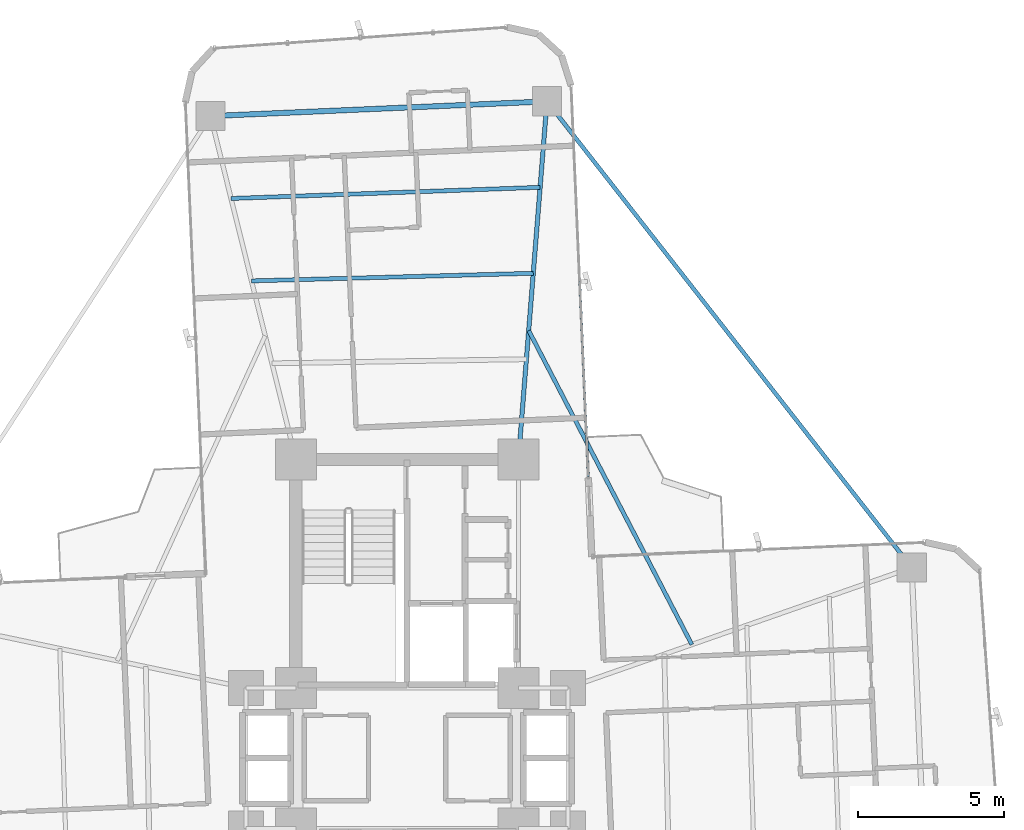
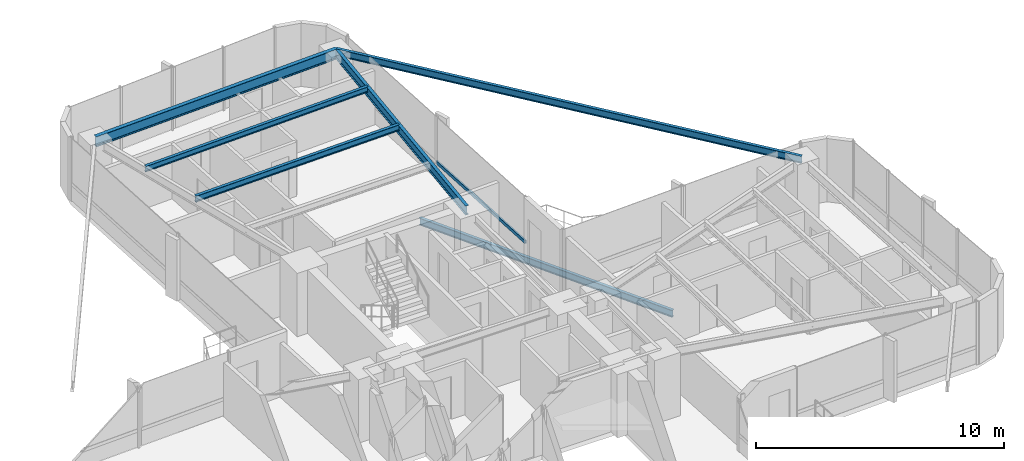
# One storey, part 18 of 27: 6 beams, 1 member, 1 element without a shape of its own.
"""IFC4 building model written with IfcOpenShell, lengths in metres."""

import ifcopenshell
import ifcopenshell.guid

model = None  # the IFC model being written
_history = None  # IfcOwnerHistory: only IFC2X3 demands one
_inside = {}  # id of a spatial element -> (the spatial element, [elements in it])
_under = {}  # id of a project, library or spatial element -> (it, [spatial elements below it])
_declared = {}  # id of a project -> (the project, [libraries it declares])
_typed = {}  # id of a type object -> (the type object, [elements of that type])
_made_of = {}  # id of a material, layer set ... -> (it, [elements and type objects made of it])


def new_model(schema):
    """Start an empty IFC model of exactly this schema.

    Asked for "IFC4X3", IfcOpenShell would pick the latest addendum, in which some entities
    have other attributes; the version numbers below select the first issue.
    IFC2X3 requires an IfcOwnerHistory on every rooted entity: one is made here for all.
    """
    global model, _history
    if schema == "IFC4X3":
        model = ifcopenshell.file(schema_version=(4, 3, 0, 0))
    else:
        model = ifcopenshell.file(schema=schema)
    _inside.clear()
    _under.clear()
    _declared.clear()
    _typed.clear()
    _made_of.clear()
    _history = None
    if model.schema == "IFC2X3":
        org = make("IfcOrganization", Name="unknown")
        user = make(
            "IfcPersonAndOrganization",
            ThePerson=make("IfcPerson", FamilyName="unknown"),
            TheOrganization=org,
        )
        app = make(
            "IfcApplication",
            ApplicationDeveloper=org,
            Version="unknown",
            ApplicationFullName="unknown",
            ApplicationIdentifier="unknown",
        )
        _history = make(
            "IfcOwnerHistory",
            OwningUser=user,
            OwningApplication=app,
            ChangeAction="ADDED",
            CreationDate=0,
        )
    return model


def make(cls, **values):
    """One entity of the class cls with the attributes given. An attribute that is None is left unset."""
    return model.create_entity(
        cls, **{name: value for name, value in values.items() if value is not None}
    )


def rooted(cls, **values):
    """An entity with a GlobalId (a new one), such as an element, a storey or a relation."""
    return make(cls, GlobalId=ifcopenshell.guid.new(), OwnerHistory=_history, **values)


def si_unit(unit_type, name, prefix=None):
    """IfcSIUnit, for example si_unit("LENGTHUNIT", "METRE", prefix="MILLI")."""
    return make("IfcSIUnit", UnitType=unit_type, Prefix=prefix, Name=name)


def assignment(units):
    """IfcUnitAssignment: the units of a project."""
    return None if units is None else make("IfcUnitAssignment", Units=units)


def point(xyz):
    """IfcCartesianPoint."""
    return None if xyz is None else make("IfcCartesianPoint", Coordinates=xyz)


def direction(xyz):
    """IfcDirection."""
    return None if xyz is None else make("IfcDirection", DirectionRatios=xyz)


def frame(location, z_axis=None, x_axis=None):
    """IfcAxis2Placement3D, a coordinate frame: its origin and axes. An axis left out is left unset."""
    return make(
        "IfcAxis2Placement3D",
        Location=point(location),
        Axis=direction(z_axis),
        RefDirection=direction(x_axis),
    )


def frame_2d(location, x_axis=None):
    """IfcAxis2Placement2D, a coordinate frame in the plane: its origin and x axis."""
    return make(
        "IfcAxis2Placement2D", Location=point(location), RefDirection=direction(x_axis)
    )


def origin():
    """The frame at (0, 0, 0) with its axes left unset."""
    return frame((0.0, 0.0, 0.0))


def origin_2d():
    """The frame at (0, 0) in the plane with its x axis left unset."""
    return frame_2d((0.0, 0.0))


def place(relative_to, where):
    """IfcLocalPlacement: puts the frame where relative to a parent placement (None: the world)."""
    return make(
        "IfcLocalPlacement", PlacementRelTo=relative_to, RelativePlacement=where
    )


def context(
    kind, dimensions, precision=None, world=None, true_north=None, identifier=None
):
    """IfcGeometricRepresentationContext, for example the 3D "Model" context."""
    return make(
        "IfcGeometricRepresentationContext",
        ContextIdentifier=identifier,
        ContextType=kind,
        CoordinateSpaceDimension=dimensions,
        Precision=precision,
        WorldCoordinateSystem=world,
        TrueNorth=true_north,
    )


def subcontext(parent, identifier, kind, view, scale=None):
    """IfcGeometricRepresentationSubContext, for example "Body" below "Model"."""
    return make(
        "IfcGeometricRepresentationSubContext",
        ContextIdentifier=identifier,
        ContextType=kind,
        ParentContext=parent,
        TargetScale=scale,
        TargetView=view,
    )


def project(units=None, contexts=None):
    """IfcProject with its units and contexts."""
    return rooted(
        "IfcProject",
        Name="project",
        RepresentationContexts=contexts,
        UnitsInContext=assignment(units),
    )


def spatial(cls, under=None, at=None, **own):
    """A site, building, storey or space (cls), placed at a placement, below another one or the project."""
    s = rooted(cls, ObjectPlacement=at, **own)
    if under is not None:
        _under.setdefault(under.id(), (under, []))[1].append(s)
    return s


def profile(cls, at=None, kind="AREA", **sizes):
    """A parametric profile (cls). Its sizes go by their IFC names, for example OverallWidth=200.0."""
    return make(cls, ProfileType=kind, Position=at, **sizes)


def hollow_rectangle(**sizes):
    """IfcRectangleHollowProfileDef."""
    return profile("IfcRectangleHollowProfileDef", **sizes)


def i_section(**sizes):
    """IfcIShapeProfileDef."""
    return profile("IfcIShapeProfileDef", **sizes)


def extrude(swept, where, along, depth):
    """IfcExtrudedAreaSolid: the profile swept, set in the frame where, extruded along a direction by depth."""
    return make(
        "IfcExtrudedAreaSolid",
        SweptArea=swept,
        Position=where,
        ExtrudedDirection=direction(along),
        Depth=depth,
    )


def shape(context_of_items, identifier, shape_type, items):
    """IfcShapeRepresentation: the items that make up one representation, for example the "Body"."""
    return make(
        "IfcShapeRepresentation",
        ContextOfItems=context_of_items,
        RepresentationIdentifier=identifier,
        RepresentationType=shape_type,
        Items=items,
    )


def source(mapping_origin, context_of_items, identifier, shape_type, items):
    """IfcRepresentationMap: a shape defined once, which mapped items show again and again."""
    return make(
        "IfcRepresentationMap",
        MappingOrigin=mapping_origin,
        MappedRepresentation=shape(context_of_items, identifier, shape_type, items),
    )


def transform(
    local_origin,
    x_axis=None,
    y_axis=None,
    z_axis=None,
    scale=None,
    scale2=None,
    scale3=None,
    uniform=True,
):
    """IfcCartesianTransformationOperator3D, or its non-uniform kind. x_axis, y_axis, z_axis: its Axis1, 2, 3."""
    if uniform:
        return make(
            "IfcCartesianTransformationOperator3D",
            Axis1=direction(x_axis),
            Axis2=direction(y_axis),
            LocalOrigin=point(local_origin),
            Scale=scale,
            Axis3=direction(z_axis),
        )
    return make(
        "IfcCartesianTransformationOperator3DnonUniform",
        Axis1=direction(x_axis),
        Axis2=direction(y_axis),
        LocalOrigin=point(local_origin),
        Scale=scale,
        Axis3=direction(z_axis),
        Scale2=scale2,
        Scale3=scale3,
    )


def mapped(mapping_source, mapping_target):
    """IfcMappedItem: shows the shape of a source again, moved by a transform."""
    return make(
        "IfcMappedItem", MappingSource=mapping_source, MappingTarget=mapping_target
    )


def material(Name=None, Category=None):
    """IfcMaterial."""
    return make("IfcMaterial", Name=Name, Category=Category)


def material_profile(
    of_material, cross_section, Name=None, Category=None, Priority=None
):
    """IfcMaterialProfile: a cross section and its material."""
    return make(
        "IfcMaterialProfile",
        Name=Name,
        Material=of_material,
        Profile=cross_section,
        Priority=Priority,
        Category=Category,
    )


def profile_set(profiles, Name=None, composite=None):
    """IfcMaterialProfileSet."""
    return make(
        "IfcMaterialProfileSet",
        Name=Name,
        MaterialProfiles=profiles,
        CompositeProfile=composite,
    )


def made_of(thing, what):
    """Note that an element or type object is made of a material, layer set ...; save() writes the relation."""
    if what is not None:
        _made_of.setdefault(what.id(), (what, []))[1].append(thing)
    return thing


def type_object(cls, material=None, **own):
    """A type object (cls), such as IfcWallType, which elements share."""
    return made_of(rooted(cls, **own), material)


def element(
    cls,
    number,
    at=None,
    inside=None,
    cuts=None,
    type_object=None,
    material=None,
    context=None,
    identifier="Body",
    shape_type=None,
    held_by="IfcProductDefinitionShape",
    body=None,
    shapes=None,
    **own,
):
    """One element of the class cls, such as IfcWall. Its Tag is "e" and its number.

    at: its placement. inside: the storey or other place that contains it. cuts: it is an
    opening in that element (IfcRelVoidsElement). A single representation is given by context,
    identifier, shape_type and body (its items); several are given by shapes. held_by: the class
    of the entity that holds the representations. save() writes the other relations.
    """
    e = rooted(cls, Tag="e%d" % number, ObjectPlacement=at, **own)
    if body is not None:
        shapes = [shape(context, identifier, shape_type, body)]
    if shapes is not None:
        e.Representation = make(held_by, Representations=shapes)
    if inside is not None:
        _inside.setdefault(inside.id(), (inside, []))[1].append(e)
    if cuts is not None:
        rooted(
            "IfcRelVoidsElement", RelatingBuildingElement=cuts, RelatedOpeningElement=e
        )
    if type_object is not None:
        _typed.setdefault(type_object.id(), (type_object, []))[1].append(e)
    return made_of(e, material)


def aggregate(whole, parts):
    """IfcRelAggregates: a whole, such as a stair, and the parts it consists of."""
    return rooted("IfcRelAggregates", RelatingObject=whole, RelatedObjects=parts)


def save(model, path):
    """Write the relations noted so far, then the file.

    IfcRelAggregates (storeys below a building ...), IfcRelContainedInSpatialStructure (elements
    in a storey), IfcRelDefinesByType, IfcRelAssociatesMaterial and IfcRelDeclares: one each for
    every whole, place, type object, material and project.
    """
    for whole, parts in _under.values():
        aggregate(whole, parts)
    for where, things in _inside.values():
        rooted(
            "IfcRelContainedInSpatialStructure",
            RelatedElements=things,
            RelatingStructure=where,
        )
    for kind, things in _typed.values():
        rooted("IfcRelDefinesByType", RelatedObjects=things, RelatingType=kind)
    for what, things in _made_of.values():
        rooted("IfcRelAssociatesMaterial", RelatedObjects=things, RelatingMaterial=what)
    for by, libraries in _declared.values():
        rooted("IfcRelDeclares", RelatingContext=by, RelatedDefinitions=libraries)
    model.write(path)


model = new_model("IFC4")

# Units and contexts
model_context = context("Model", 3, precision=1e-05, world=origin(), true_north=direction((0.0, 1.0)))
body_context = subcontext(model_context, "Body", "Model", "MODEL_VIEW")
ifc_project = project(units=[si_unit("LENGTHUNIT", "METRE"), si_unit("AREAUNIT", "SQUARE_METRE"), si_unit("VOLUMEUNIT", "CUBIC_METRE"), si_unit("PLANEANGLEUNIT", "RADIAN"), si_unit("MASSUNIT", "GRAM", prefix="KILO")], contexts=[model_context])

# Site, building, storey
site_placement = place(None, origin())
site = spatial("IfcSite", under=ifc_project, at=site_placement, CompositionType="ELEMENT")
building_placement = place(site_placement, origin())
building = spatial("IfcBuilding", under=site, at=building_placement, Name="Sahyath Konkavel Grand Hotel", CompositionType="ELEMENT")
storey_placement = place(building_placement, frame((0.0, 0.0, 90.199951171875)))
storey = spatial("IfcBuildingStorey", under=building, at=storey_placement, Name="L24", CompositionType="ELEMENT", Elevation=90.199951171875)

# Beams
ifc_material_1 = material(Name="Steel E350", Category="steel")
ifc_material_profile_1 = material_profile(ifc_material_1, i_section(OverallWidth=0.14990234375, OverallDepth=0.449951171875, WebThickness=0.009521484375, FlangeThickness=0.017333984375, FilletRadius=0.014892578125, at=origin_2d()), Name="ISMB 450")
ifc_profile_set_1 = profile_set([ifc_material_profile_1], Name="Steel E350")
beam_type_1 = type_object("IfcBeamType", Name="BM-ISMB450", PredefinedType="BEAM", material=ifc_profile_set_1)
shared_shape_1 = source(origin(), body_context, "Body", "SweptSolid", [
    extrude(i_section(OverallWidth=0.14990234375, OverallDepth=0.449951171875, WebThickness=0.009521484375, FlangeThickness=0.017333984375, FilletRadius=0.014892578125, at=origin_2d()), origin(), (0.0, 0.0, 1.0), 12.2685546875),
])
beam_1_placement = place(storey_placement, frame((3.800048828125, 10.199951171875, 2.885009765625), z_axis=(0.079558563357, 0.996830193662, 0.0), x_axis=(-0.996830193662, 0.079558563357, 0.0)))
element("IfcBeam", 1, at=beam_1_placement, inside=storey, type_object=beam_type_1, Name="L24 Cruciform Radial Girder NA", PredefinedType="BEAM", context=body_context, shape_type="MappedRepresentation", body=[
    mapped(shared_shape_1, transform((0.0, 0.0, 0.0), scale=1.0)),
])
ifc_material_profile_2 = material_profile(ifc_material_1, i_section(OverallWidth=0.179931640625, OverallDepth=0.5, WebThickness=0.01025390625, FlangeThickness=0.01708984375, FilletRadius=0.01708984375, at=origin_2d()), Name="ISMB 500")
ifc_profile_set_2 = profile_set([ifc_material_profile_2], Name="Steel E350")
beam_type_2 = type_object("IfcBeamType", Name="BM-ISMB500", PredefinedType="BEAM", material=ifc_profile_set_2)
shared_shape_2 = source(origin(), body_context, "Body", "SweptSolid", [
    extrude(i_section(OverallWidth=0.179931640625, OverallDepth=0.5, WebThickness=0.01025390625, FlangeThickness=0.01708984375, FilletRadius=0.01708984375, at=origin_2d()), origin(), (0.0, 0.0, 1.0), 11.5),
])
beam_2_placement = place(storey_placement, frame((4.776123046875, 22.4296875, 2.860107421875), z_axis=(-0.99904788879, -0.043627008892, 0.0), x_axis=(0.043627008892, -0.99904788879, 0.0)))
element("IfcBeam", 2, at=beam_2_placement, inside=storey, type_object=beam_type_2, Name="L24 Wing Tip Edge Beam N", PredefinedType="BEAM", context=body_context, shape_type="MappedRepresentation", body=[
    mapped(shared_shape_2, transform((0.0, 0.0, 0.0), scale=1.0)),
])
ifc_material_profile_3 = material_profile(ifc_material_1, i_section(OverallWidth=0.139892578125, OverallDepth=0.35009765625, WebThickness=0.008056640625, FlangeThickness=0.01416015625, FilletRadius=0.013916015625, at=origin_2d()), Name="ISMB 350")
ifc_profile_set_3 = profile_set([ifc_material_profile_3], Name="Steel E350")
beam_type_3 = type_object("IfcBeamType", Name="BM-ISMB350", PredefinedType="BEAM", material=ifc_profile_set_3)
shared_shape_3 = source(origin(), body_context, "Body", "SweptSolid", [
    extrude(i_section(OverallWidth=0.139892578125, OverallDepth=0.35009765625, WebThickness=0.008056640625, FlangeThickness=0.01416015625, FilletRadius=0.013916015625, at=origin_2d()), origin(), (0.0, 0.0, 1.0), 20.215576171875),
])
beam_3_placement = place(storey_placement, frame((17.232421875, 6.5078125, 2.93505859375), z_axis=(-0.616176369687, 0.787608203004, 0.0), x_axis=(-0.787608203004, -0.616176369687, 0.0)))
element("IfcBeam", 3, at=beam_3_placement, inside=storey, type_object=beam_type_3, Name="L24 Re-Entrant Tie Beam NE", PredefinedType="BEAM", context=body_context, shape_type="MappedRepresentation", body=[
    mapped(shared_shape_3, transform((0.0, 0.0, 0.0), scale=1.0)),
])
ifc_material_profile_4 = material_profile(ifc_material_1, i_section(OverallWidth=0.139892578125, OverallDepth=0.300048828125, WebThickness=0.0078125, FlangeThickness=0.01318359375, FilletRadius=0.013916015625, at=origin_2d()), Name="ISMB 300")
ifc_profile_set_4 = profile_set([ifc_material_profile_4], Name="Steel E350")
beam_type_4 = type_object("IfcBeamType", Name="BM-ISMB300", PredefinedType="BEAM", material=ifc_profile_set_4)
shared_shape_4 = source(origin(), body_context, "Body", "SweptSolid", [
    extrude(i_section(OverallWidth=0.139892578125, OverallDepth=0.300048828125, WebThickness=0.0078125, FlangeThickness=0.01318359375, FilletRadius=0.013916015625, at=origin_2d()), origin(), (0.0, 0.0, 1.0), 9.625732421875),
])
beam_4_placement = place(storey_placement, frame((4.3076171875, 16.559326171875, 2.9599609375), z_axis=(-0.999633060528, -0.027087714933, 0.0), x_axis=(0.027087714933, -0.999633060528, 0.0)))
element("IfcBeam", 4, at=beam_4_placement, inside=storey, type_object=beam_type_4, Name="L24 Secondary Floor Beam N-2", PredefinedType="BEAM", context=body_context, shape_type="MappedRepresentation", body=[
    mapped(shared_shape_4, transform((0.0, 0.0, 0.0), scale=1.0)),
])
ifc_material_profile_5 = material_profile(ifc_material_1, i_section(OverallWidth=0.139892578125, OverallDepth=0.27490234375, WebThickness=0.00634765625, FlangeThickness=0.0087890625, FilletRadius=0.012939453125, at=origin_2d()), Name="ISLB 275")
ifc_profile_set_5 = profile_set([ifc_material_profile_5], Name="Steel E350")
beam_type_5 = type_object("IfcBeamType", Name="BM-ISLB275", PredefinedType="BEAM", material=ifc_profile_set_5)
shared_shape_5 = source(origin(), body_context, "Body", "SweptSolid", [
    extrude(i_section(OverallWidth=0.139892578125, OverallDepth=0.27490234375, WebThickness=0.00634765625, FlangeThickness=0.0087890625, FilletRadius=0.012939453125, at=origin_2d()), origin(), (0.0, 0.0, 1.0), 10.562744140625),
])
beam_5_placement = place(storey_placement, frame((4.5419921875, 19.49462890625, 2.97265625), z_axis=(-0.999348077295, -0.036102914095, 0.0), x_axis=(0.036102914095, -0.999348077295, 0.0)))
element("IfcBeam", 5, at=beam_5_placement, inside=storey, type_object=beam_type_5, Name="L24 Secondary Floor Beam N-3", PredefinedType="BEAM", context=body_context, shape_type="MappedRepresentation", body=[
    mapped(shared_shape_5, transform((0.0, 0.0, 0.0), scale=1.0)),
])

# Curtain wall, member
ifc_material_2 = material(Name="Anodised Bronze Aluminium & Low-E Glazing", Category="aluminium")
curtain_wall_type = type_object("IfcCurtainWallType", Name="CW-ZONE2", PredefinedType="NOTDEFINED", material=ifc_material_2)
curtain_wall_placement = place(storey_placement, origin())
curtain_wall = element("IfcCurtainWall", 6, at=curtain_wall_placement, inside=storey, type_object=curtain_wall_type, Name="L24 Unitised Curtain Wall F8", PredefinedType="NOTDEFINED")
ifc_material_3 = material(Name="Anodised Bronze Aluminium", Category="aluminium")
ifc_material_profile_6 = material_profile(ifc_material_3, hollow_rectangle(XDim=0.080078125, YDim=0.159912109375, WallThickness=0.006103515625, at=origin_2d()), Name="RHS 160x80x6")
ifc_profile_set_6 = profile_set([ifc_material_profile_6], Name="Anodised Bronze Aluminium")
member_type = type_object("IfcMemberType", Name="CW-TRN-160", PredefinedType="USERDEFINED", material=ifc_profile_set_6)
shared_shape_6 = source(origin(), body_context, "Body", "SweptSolid", [
    extrude(hollow_rectangle(XDim=0.080078125, YDim=0.159912109375, WallThickness=0.006103515625, at=origin_2d()), origin(), (0.0, 0.0, 1.0), 6.66015625),
])
member_placement = place(storey_placement, frame((6.186279296875, 9.618896484375, 0.85009765625), z_axis=(-0.043621753165, 0.999048118286, 0.0), x_axis=(-0.999048118286, -0.043621753165, 0.0)))
member = element("IfcMember", 7, at=member_placement, type_object=member_type, Name="L24 Curtain Wall Transom F8-0-spandrel", ObjectType="TRANSOM", PredefinedType="USERDEFINED", context=body_context, shape_type="MappedRepresentation", body=[
    mapped(shared_shape_6, transform((0.0, 0.0, 0.0), scale=1.0)),
])
aggregate(curtain_wall, [member])

# Beam
ifc_material_profile_7 = material_profile(ifc_material_1, i_section(OverallWidth=0.139892578125, OverallDepth=0.35009765625, WebThickness=0.008056640625, FlangeThickness=0.01416015625, FilletRadius=0.013916015625, at=origin_2d()), Name="ISMB 350")
ifc_profile_set_7 = profile_set([ifc_material_profile_7], Name="Steel E350")
beam_type_6 = type_object("IfcBeamType", Name="BM-BALC-CANT", PredefinedType="BEAM", material=ifc_profile_set_7)
shared_shape_7 = source(origin(), body_context, "Body", "SweptSolid", [
    extrude(i_section(OverallWidth=0.139892578125, OverallDepth=0.35009765625, WebThickness=0.008056640625, FlangeThickness=0.01416015625, FilletRadius=0.013916015625, at=origin_2d()), origin(), (0.0, 0.0, 1.0), 12.085205078125),
])
beam_6_placement = place(storey_placement, frame((9.7236328125, 3.87890625, -0.4150390625), z_axis=(-0.461082384626, 0.887357331962, 0.0), x_axis=(-0.887357331962, -0.461082384626, 0.0)))
element("IfcBeam", 8, at=beam_6_placement, inside=storey, type_object=beam_type_6, Name="L24 Balcony Cantilever Support Beam NE", PredefinedType="BEAM", context=body_context, shape_type="MappedRepresentation", body=[
    mapped(shared_shape_7, transform((0.0, 0.0, 0.0), scale=1.0)),
])

save(model, "model.ifc")
